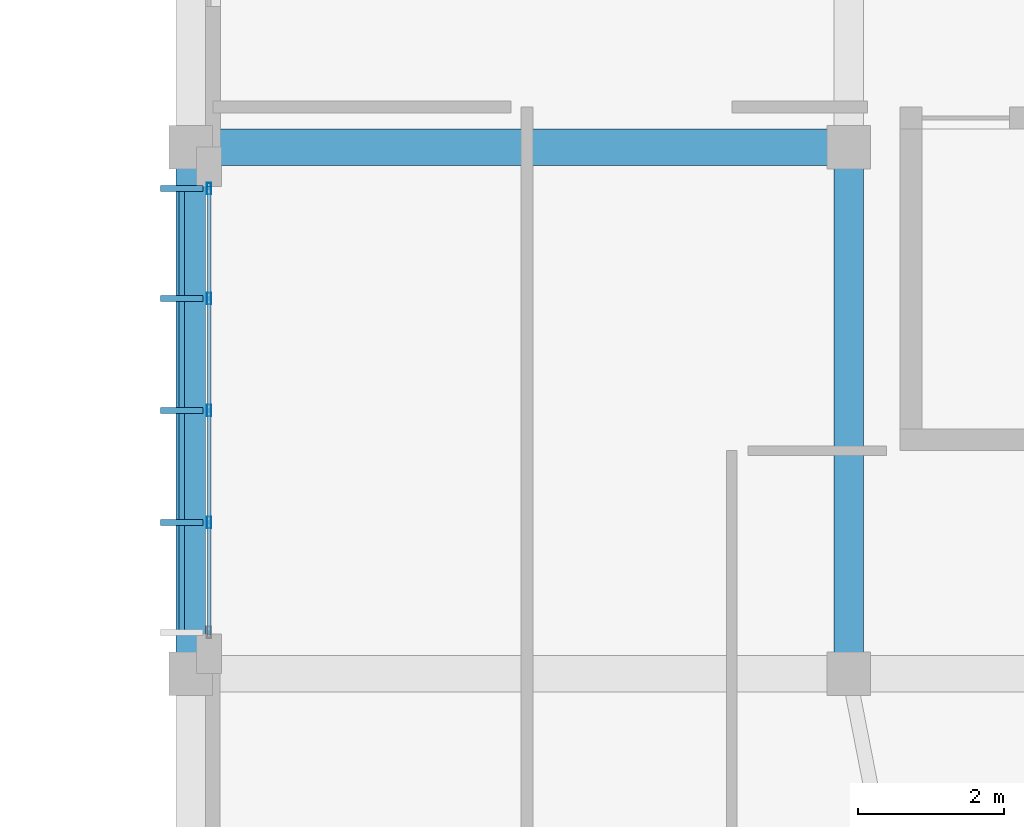
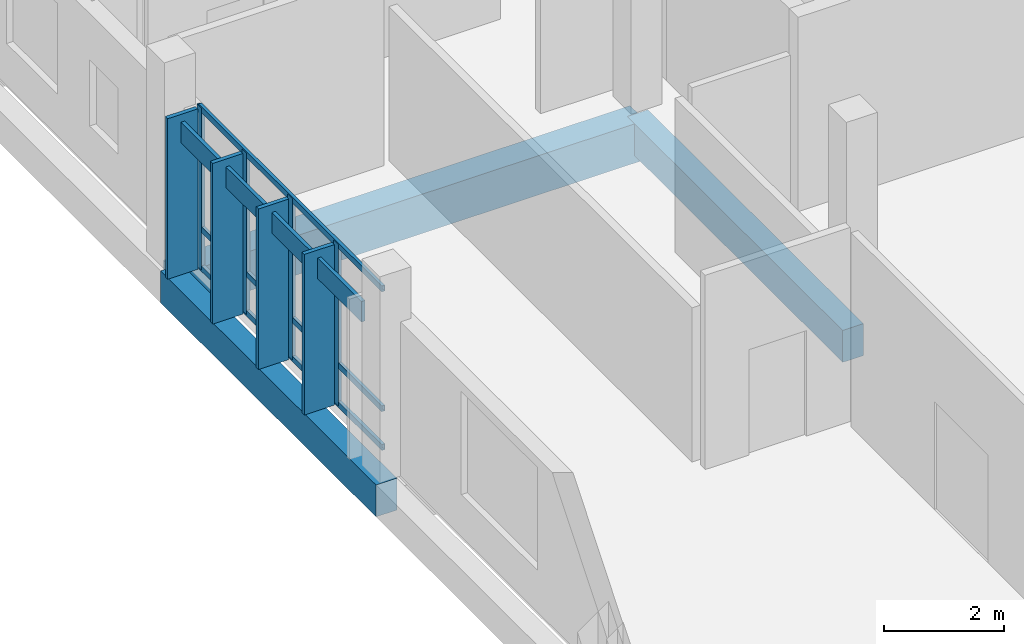
# One storey, part 19 of 107: 12 members, 3 beams, 1 element without a shape of its own.
"""IFC4 building model written with IfcOpenShell, lengths in metres."""

from ifc_helpers import new_model, si_unit, direction, frame, origin, origin_2d, place, context, subcontext, project, spatial, rectangle, hollow_rectangle, extrude, material, material_profile, profile_set, type_object, element, aggregate, save


model = new_model("IFC4")

# Units and contexts
model_context = context("Model", 3, precision=1e-05, world=origin(), true_north=direction((0.0, 1.0)))
body_context = subcontext(model_context, "Body", "Model", "MODEL_VIEW")
ifc_project = project(units=[si_unit("LENGTHUNIT", "METRE"), si_unit("AREAUNIT", "SQUARE_METRE"), si_unit("VOLUMEUNIT", "CUBIC_METRE"), si_unit("PLANEANGLEUNIT", "RADIAN"), si_unit("MASSUNIT", "GRAM", prefix="KILO")], contexts=[model_context])

# Site, building, storey
site_placement = place(None, origin())
site = spatial("IfcSite", under=ifc_project, at=site_placement, CompositionType="ELEMENT")
building_placement = place(site_placement, origin())
building = spatial("IfcBuilding", under=site, at=building_placement, Name="Chiffa Square Polytechnic", CompositionType="ELEMENT")
storey_placement = place(building_placement, frame((0.0, 0.0, 13.800048828125)))
storey = spatial("IfcBuildingStorey", under=building, at=storey_placement, Name="L03", CompositionType="ELEMENT", Elevation=13.800048828125)

# Beams
ifc_material_1 = material(Name="Concrete C35/45", Category="concrete")
ifc_material_profile_1 = material_profile(ifc_material_1, rectangle(XDim=0.39990234375, YDim=0.64990234375, at=origin_2d()), Name="RC 400x650")
ifc_profile_set_1 = profile_set([ifc_material_profile_1], Name="Concrete C35/45")
beam_type_1 = type_object("IfcBeamType", Name="BM-RC-400X650", PredefinedType="BEAM", material=ifc_profile_set_1)
for number, where, z_axis, x_axis, name in (
    (1, (112.199951171875, 14.39990234375, -0.5849609375), (0.0, 1.0, 0.0), (-1.0, 0.0, 0.0), "Primary floor girder BM-V1-L03-Y-1122-0144"),
    (2, (121.199951171875, 14.39990234375, -0.5849609375), (0.0, 1.0, 0.0), (-1.0, 0.0, 0.0), "Primary floor girder BM-V1-L03-Y-1212-0144"),
):
    element("IfcBeam", number, at=place(storey_placement, frame(where, z_axis=z_axis, x_axis=x_axis)), inside=storey, type_object=beam_type_1, Name=name, PredefinedType="BEAM", context=body_context, shape_type="SweptSolid", body=[
        extrude(rectangle(XDim=0.39990234375, YDim=0.64990234375, at=origin_2d()), origin(), (0.0, 0.0, 1.0), 7.2001953125),
    ])
ifc_material_2 = material(Name="Concrete C40/50", Category="concrete")
ifc_material_profile_2 = material_profile(ifc_material_2, rectangle(XDim=0.5, YDim=0.800048828125, at=origin_2d()), Name="RC 500x800")
ifc_profile_set_2 = profile_set([ifc_material_profile_2], Name="Concrete C40/50")
beam_type_2 = type_object("IfcBeamType", Name="BM-RC-500X800", PredefinedType="BEAM", material=ifc_profile_set_2)
beam_placement = place(storey_placement, frame((112.199951171875, 21.60009765625, -0.66015625), z_axis=(1.0, 0.0, 0.0), x_axis=(0.0, 1.0, 0.0)))
element("IfcBeam", 3, at=beam_placement, inside=storey, type_object=beam_type_2, Name="Primary floor girder BM-V1-L03-X-1122-0216", PredefinedType="BEAM", context=body_context, shape_type="SweptSolid", body=[
    extrude(rectangle(XDim=0.5, YDim=0.800048828125, at=origin_2d()), origin(), (0.0, 0.0, 1.0), 9.0),
])

# Curtain wall, members
ifc_material_3 = material(Name="Aluminium EN AW-6060 T66 and glulam shading", Category="wood")
curtain_wall_type = type_object("IfcCurtainWallType", Name="CW-VERT-540X440", PredefinedType="USERDEFINED", material=ifc_material_3)
curtain_wall_placement = place(storey_placement, origin())
curtain_wall = element("IfcCurtainWall", 4, at=curtain_wall_placement, inside=storey, type_object=curtain_wall_type, Name="Curtain wall CW-V1-L03-135", ObjectType="CURTAIN WALL", PredefinedType="USERDEFINED")
ifc_material_4 = material(Name="Aluminium EN AW-6060 T66", Category="aluminium")
ifc_material_profile_3 = material_profile(ifc_material_4, hollow_rectangle(XDim=0.06005859375, YDim=0.159912109375, WallThickness=0.00390625, at=origin_2d()), Name="ALU 60x160x4")
ifc_profile_set_3 = profile_set([ifc_material_profile_3], Name="Aluminium EN AW-6060 T66")
member_type_1 = type_object("IfcMemberType", Name="CWM-ALU-65X150", PredefinedType="MULLION", material=ifc_profile_set_3)
member_1_placement = place(storey_placement, frame((112.449951171875, 21.034912109375, 0.0), z_axis=(0.0, 0.0, 1.0), x_axis=(1.0, 0.0, 0.0)))
member_1 = element("IfcMember", 5, at=member_1_placement, type_object=member_type_1, Name="Curtain wall mullion CW-V1-L03-135-M00", PredefinedType="MULLION", context=body_context, shape_type="SweptSolid", body=[
    extrude(hollow_rectangle(XDim=0.06005859375, YDim=0.159912109375, WallThickness=0.00390625, at=origin_2d()), origin(), (0.0, 0.0, 1.0), 3.294921875),
])
member_2_placement = place(storey_placement, frame((112.449951171875, 19.530029296875, 0.0), z_axis=(0.0, 0.0, 1.0), x_axis=(1.0, 0.0, 0.0)))
member_2 = element("IfcMember", 6, at=member_2_placement, type_object=member_type_1, Name="Curtain wall mullion CW-V1-L03-135-M01", PredefinedType="MULLION", context=body_context, shape_type="SweptSolid", body=[
    extrude(hollow_rectangle(XDim=0.06005859375, YDim=0.159912109375, WallThickness=0.00390625, at=origin_2d()), origin(), (0.0, 0.0, 1.0), 3.294921875),
])
member_3_placement = place(storey_placement, frame((112.449951171875, 18.0, 0.0), z_axis=(0.0, 0.0, 1.0), x_axis=(1.0, 0.0, 0.0)))
member_3 = element("IfcMember", 7, at=member_3_placement, type_object=member_type_1, Name="Curtain wall mullion CW-V1-L03-135-M02", PredefinedType="MULLION", context=body_context, shape_type="SweptSolid", body=[
    extrude(hollow_rectangle(XDim=0.06005859375, YDim=0.159912109375, WallThickness=0.00390625, at=origin_2d()), origin(), (0.0, 0.0, 1.0), 3.294921875),
])
member_4_placement = place(storey_placement, frame((112.449951171875, 16.469970703125, 0.0), z_axis=(0.0, 0.0, 1.0), x_axis=(1.0, 0.0, 0.0)))
member_4 = element("IfcMember", 8, at=member_4_placement, type_object=member_type_1, Name="Curtain wall mullion CW-V1-L03-135-M03", PredefinedType="MULLION", context=body_context, shape_type="SweptSolid", body=[
    extrude(hollow_rectangle(XDim=0.06005859375, YDim=0.159912109375, WallThickness=0.00390625, at=origin_2d()), origin(), (0.0, 0.0, 1.0), 3.294921875),
])
ifc_material_5 = material(Name="Glulam GL28h", Category="wood")
ifc_material_profile_4 = material_profile(ifc_material_5, rectangle(XDim=0.080078125, YDim=0.580078125, at=origin_2d()), Name="GL28h 80x580")
ifc_profile_set_4 = profile_set([ifc_material_profile_4], Name="Glulam GL28h")
member_type_2 = type_object("IfcMemberType", Name="CWM-GL-80X580", PredefinedType="MULLION", material=ifc_profile_set_4)
member_5_placement = place(storey_placement, frame((112.077880859375, 21.034912109375, 0.010009765625), z_axis=(0.0, 0.0, 1.0), x_axis=(0.0, -1.0, 0.0)))
member_5 = element("IfcMember", 9, at=member_5_placement, type_object=member_type_2, Name="Exterior glulam solar fin CW-V1-L03-135-FN00", PredefinedType="MULLION", context=body_context, shape_type="SweptSolid", body=[
    extrude(rectangle(XDim=0.080078125, YDim=0.580078125, at=origin_2d()), origin(), (0.0, 0.0, 1.0), 3.27490234375),
])
member_6_placement = place(storey_placement, frame((112.077880859375, 19.530029296875, 0.010009765625), z_axis=(0.0, 0.0, 1.0), x_axis=(0.0, -1.0, 0.0)))
member_6 = element("IfcMember", 10, at=member_6_placement, type_object=member_type_2, Name="Exterior glulam solar fin CW-V1-L03-135-FN01", PredefinedType="MULLION", context=body_context, shape_type="SweptSolid", body=[
    extrude(rectangle(XDim=0.080078125, YDim=0.580078125, at=origin_2d()), origin(), (0.0, 0.0, 1.0), 3.27490234375),
])
member_7_placement = place(storey_placement, frame((112.077880859375, 18.0, 0.010009765625), z_axis=(0.0, 0.0, 1.0), x_axis=(0.0, -1.0, 0.0)))
member_7 = element("IfcMember", 11, at=member_7_placement, type_object=member_type_2, Name="Exterior glulam solar fin CW-V1-L03-135-FN02", PredefinedType="MULLION", context=body_context, shape_type="SweptSolid", body=[
    extrude(rectangle(XDim=0.080078125, YDim=0.580078125, at=origin_2d()), origin(), (0.0, 0.0, 1.0), 3.27490234375),
])
member_8_placement = place(storey_placement, frame((112.077880859375, 16.469970703125, 0.010009765625), z_axis=(0.0, 0.0, 1.0), x_axis=(0.0, -1.0, 0.0)))
member_8 = element("IfcMember", 12, at=member_8_placement, type_object=member_type_2, Name="Exterior glulam solar fin CW-V1-L03-135-FN03", PredefinedType="MULLION", context=body_context, shape_type="SweptSolid", body=[
    extrude(rectangle(XDim=0.080078125, YDim=0.580078125, at=origin_2d()), origin(), (0.0, 0.0, 1.0), 3.27490234375),
])
ifc_material_profile_5 = material_profile(ifc_material_4, hollow_rectangle(XDim=0.06005859375, YDim=0.1201171875, WallThickness=0.00390625, at=origin_2d()), Name="ALU 60x120x4")
ifc_profile_set_5 = profile_set([ifc_material_profile_5], Name="Aluminium EN AW-6060 T66")
member_type_3 = type_object("IfcMemberType", Name="CWT-ALU-65X120", PredefinedType="USERDEFINED", material=ifc_profile_set_5)
member_9_placement = place(storey_placement, frame((112.449951171875, 21.06201171875, 0.030029296875), z_axis=(0.0, -1.0, 0.0), x_axis=(1.0, 0.0, 0.0)))
member_9 = element("IfcMember", 13, at=member_9_placement, type_object=member_type_3, Name="Curtain wall transom CW-V1-L03-135-T01", ObjectType="TRANSOM", PredefinedType="USERDEFINED", context=body_context, shape_type="SweptSolid", body=[
    extrude(hollow_rectangle(XDim=0.06005859375, YDim=0.1201171875, WallThickness=0.00390625, at=origin_2d()), origin(), (0.0, 0.0, 1.0), 6.1240234375),
])
member_10_placement = place(storey_placement, frame((112.449951171875, 21.06201171875, 0.820068359375), z_axis=(0.0, -1.0, 0.0), x_axis=(1.0, 0.0, 0.0)))
member_10 = element("IfcMember", 14, at=member_10_placement, type_object=member_type_3, Name="Curtain wall transom CW-V1-L03-135-T02", ObjectType="TRANSOM", PredefinedType="USERDEFINED", context=body_context, shape_type="SweptSolid", body=[
    extrude(hollow_rectangle(XDim=0.06005859375, YDim=0.1201171875, WallThickness=0.00390625, at=origin_2d()), origin(), (0.0, 0.0, 1.0), 6.1240234375),
])
member_11_placement = place(storey_placement, frame((112.449951171875, 21.06201171875, 3.264892578125), z_axis=(0.0, -1.0, 0.0), x_axis=(1.0, 0.0, 0.0)))
member_11 = element("IfcMember", 15, at=member_11_placement, type_object=member_type_3, Name="Curtain wall transom CW-V1-L03-135-T03", ObjectType="TRANSOM", PredefinedType="USERDEFINED", context=body_context, shape_type="SweptSolid", body=[
    extrude(hollow_rectangle(XDim=0.06005859375, YDim=0.1201171875, WallThickness=0.00390625, at=origin_2d()), origin(), (0.0, 0.0, 1.0), 6.1240234375),
])
ifc_material_profile_6 = material_profile(ifc_material_5, rectangle(XDim=0.070068359375, YDim=0.419921875, at=origin_2d()), Name="GL28h 70x420")
ifc_profile_set_6 = profile_set([ifc_material_profile_6], Name="Glulam GL28h")
member_type_4 = type_object("IfcMemberType", Name="CWT-GL-70X420", PredefinedType="USERDEFINED", material=ifc_profile_set_6)
member_12_placement = place(storey_placement, frame((112.077880859375, 21.034912109375, 2.9150390625), z_axis=(0.0, -1.0, 0.0), x_axis=(1.0, 0.0, 0.0)))
member_12 = element("IfcMember", 16, at=member_12_placement, type_object=member_type_4, Name="Exterior glulam brise-soleil CW-V1-L03-135-BS01", ObjectType="TRANSOM", PredefinedType="USERDEFINED", context=body_context, shape_type="SweptSolid", body=[
    extrude(rectangle(XDim=0.070068359375, YDim=0.419921875, at=origin_2d()), origin(), (0.0, 0.0, 1.0), 6.06982421875),
])
aggregate(curtain_wall, [member_1, member_5, member_2, member_6, member_3, member_7, member_4, member_8, member_9, member_10, member_11, member_12])

save(model, "model.ifc")
